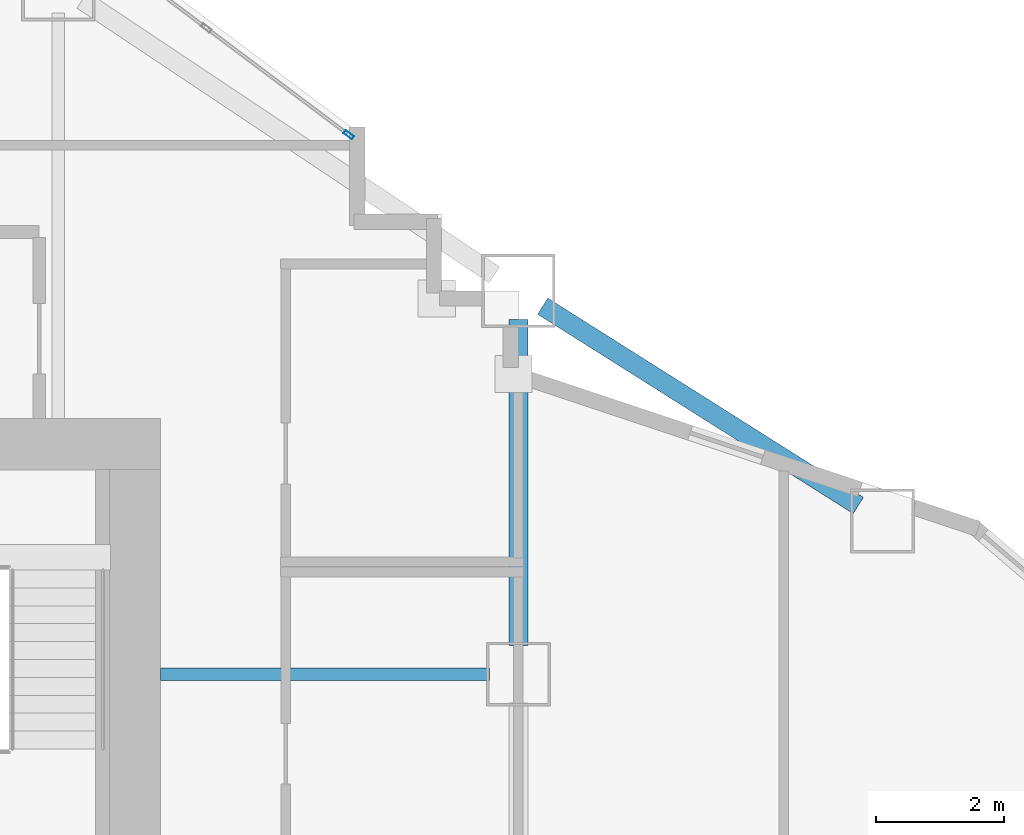
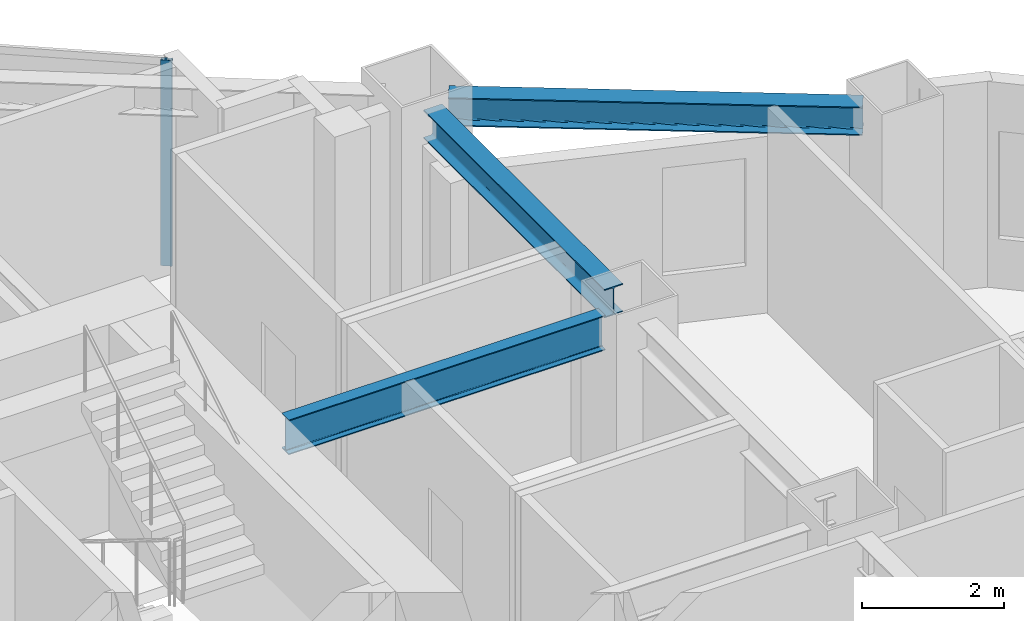
# One storey, part 5 of 16: 3 beams, 1 member, 1 element without a shape of its own.
"""IFC4 building model written with IfcOpenShell, lengths in metres."""

from ifc_helpers import new_model, si_unit, direction, frame, origin, origin_2d, place, context, subcontext, project, spatial, hollow_rectangle, i_section, extrude, material, layer, layer_set, material_profile, profile_set, type_object, element, aggregate, save


model = new_model("IFC4")

# Units and contexts
model_context = context("Model", 3, precision=1e-05, world=origin(), true_north=direction((0.0, 1.0)))
body_context = subcontext(model_context, "Body", "Model", "MODEL_VIEW")
ifc_project = project(units=[si_unit("LENGTHUNIT", "METRE"), si_unit("AREAUNIT", "SQUARE_METRE"), si_unit("VOLUMEUNIT", "CUBIC_METRE"), si_unit("PLANEANGLEUNIT", "RADIAN"), si_unit("MASSUNIT", "GRAM", prefix="KILO")], contexts=[model_context])

# Site, building, storey
site_placement = place(None, origin())
site = spatial("IfcSite", under=ifc_project, at=site_placement, CompositionType="ELEMENT")
building_placement = place(site_placement, origin())
building = spatial("IfcBuilding", under=site, at=building_placement, Name="Haolan Belvedere Tower", CompositionType="ELEMENT")
storey_placement = place(building_placement, frame((0.0, 0.0, 85.60009765625)))
storey = spatial("IfcBuildingStorey", under=building, at=storey_placement, Name="L21", CompositionType="ELEMENT", Elevation=85.60009765625)

# Beams
ifc_material_1 = material(Name="Steel Q355B", Category="steel")
ifc_material_profile_1 = material_profile(ifc_material_1, i_section(OverallWidth=0.300048828125, OverallDepth=0.488037109375, WebThickness=0.010986328125, FlangeThickness=0.01806640625, FilletRadius=0.02587890625, at=origin_2d()), Name="Steel Q355B")
ifc_profile_set_1 = profile_set([ifc_material_profile_1], Name="Steel Q355B")
beam_type_1 = type_object("IfcBeamType", Name="BM-HM488x300x11x18", PredefinedType="SPANDREL", material=ifc_profile_set_1)
beam_1_placement = place(storey_placement, frame((52.800048828125, 40.050048828125, 3.2958984375), z_axis=(0.0, 1.0, 0.0), x_axis=(-1.0, 0.0, 0.0)))
element("IfcBeam", 1, at=beam_1_placement, inside=storey, type_object=beam_type_1, Name="L21 spandrel girder TC-T3-E2-MC-T3-NE", PredefinedType="SPANDREL", context=body_context, shape_type="SweptSolid", body=[
    extrude(i_section(OverallWidth=0.300048828125, OverallDepth=0.488037109375, WebThickness=0.010986328125, FlangeThickness=0.01806640625, FilletRadius=0.02587890625, at=origin_2d()), origin(), (0.0, 0.0, 1.0), 5.099853515625),
])
beam_2_placement = place(storey_placement, frame((53.180419921875, 45.359619140625, 3.2958984375), z_axis=(0.845497840649, -0.533978839898, 0.0), x_axis=(0.533978839898, 0.845497840649, 0.0)))
element("IfcBeam", 2, at=beam_2_placement, inside=storey, type_object=beam_type_1, Name="L21 spandrel girder MC-T3-NE-TC-T4-N1", PredefinedType="SPANDREL", context=body_context, shape_type="SweptSolid", body=[
    extrude(i_section(OverallWidth=0.300048828125, OverallDepth=0.488037109375, WebThickness=0.010986328125, FlangeThickness=0.01806640625, FilletRadius=0.02587890625, at=origin_2d()), origin(), (0.0, 0.0, 1.0), 5.841796875),
])
ifc_material_profile_2 = material_profile(ifc_material_1, i_section(OverallWidth=0.199951171875, OverallDepth=0.60009765625, WebThickness=0.010986328125, FlangeThickness=0.01708984375, FilletRadius=0.02197265625, at=origin_2d()), Name="Steel Q355B")
ifc_profile_set_2 = profile_set([ifc_material_profile_2], Name="Steel Q355B")
beam_type_2 = type_object("IfcBeamType", Name="BM-HN600x200x11x17", PredefinedType="BEAM", material=ifc_profile_set_2)
beam_3_placement = place(storey_placement, frame((52.35009765625, 39.60009765625, 3.239990234375), z_axis=(-1.0, 0.0, 0.0), x_axis=(0.0, -1.0, 0.0)))
element("IfcBeam", 3, at=beam_3_placement, inside=storey, type_object=beam_type_2, Name="L21 core tie beam from TC-T3-E2", PredefinedType="BEAM", context=body_context, shape_type="SweptSolid", body=[
    extrude(i_section(OverallWidth=0.199951171875, OverallDepth=0.60009765625, WebThickness=0.010986328125, FlangeThickness=0.01708984375, FilletRadius=0.02197265625, at=origin_2d()), origin(), (0.0, 0.0, 1.0), 5.150146484375),
])

# Curtain wall, member
ifc_material_2 = material(Name="Anodised champagne-silver aluminium 6063-T6 and Low-E glass", Category="aluminium")
ifc_layer = layer(ifc_material_2, 0.1650390625, Name="Anodised champagne-silver aluminium 6063-T6 and Low-E glass")
ifc_layer_set = layer_set([ifc_layer], Name="Anodised champagne-silver aluminium 6063-T6 and Low-E glass")
curtain_wall_type = type_object("IfcCurtainWallType", Name="CW-SYS-02", PredefinedType="NOTDEFINED", material=ifc_layer_set)
curtain_wall_placement = place(storey_placement, origin())
curtain_wall = element("IfcCurtainWall", 4, at=curtain_wall_placement, inside=storey, type_object=curtain_wall_type, Name="L21 CW-SYS-02 ribbon curtain wall 41.1", PredefinedType="NOTDEFINED")
ifc_material_3 = material(Name="Anodised aluminium 6063-T6", Category="aluminium")
ifc_material_profile_3 = material_profile(ifc_material_3, hollow_rectangle(XDim=0.06005859375, YDim=0.1650390625, WallThickness=0.00390625, at=origin_2d()), Name="Anodised aluminium 6063-T6")
ifc_profile_set_3 = profile_set([ifc_material_profile_3], Name="Anodised aluminium 6063-T6")
member_type = type_object("IfcMemberType", Name="CW-SYS-02-MUL", PredefinedType="MULLION", material=ifc_profile_set_3)
member_placement = place(storey_placement, frame((50.14404296875, 48.0419921875, 0.0), z_axis=(0.0, 0.0, 1.0), x_axis=(-0.599994316874, -0.800004262313, 0.0)))
member = element("IfcMember", 5, at=member_placement, type_object=member_type, Name="CW-02 mullion 1", PredefinedType="MULLION", context=body_context, shape_type="SweptSolid", body=[
    extrude(hollow_rectangle(XDim=0.06005859375, YDim=0.1650390625, WallThickness=0.00390625, at=origin_2d()), origin(), (0.0, 0.0, 1.0), 3.539794921875),
])
aggregate(curtain_wall, [member])

save(model, "model.ifc")
